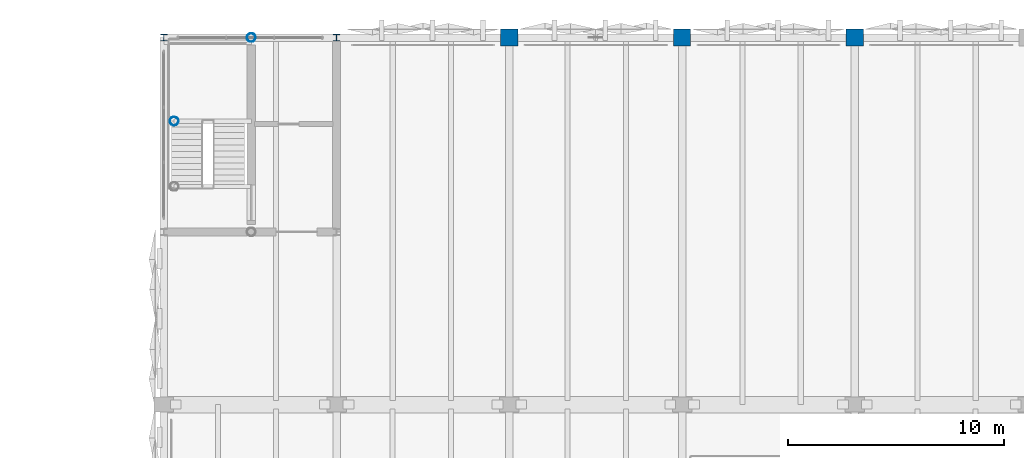
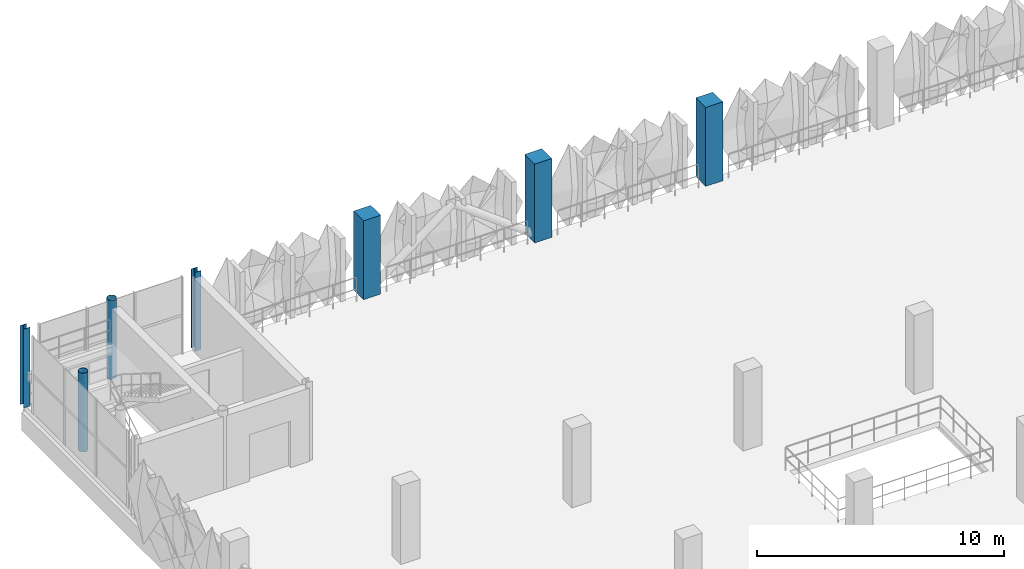
# One storey, part 17 of 123: 7 columns.
"""IFC4 building model written with IfcOpenShell, lengths in metres."""

import ifcopenshell
import ifcopenshell.guid

model = None  # the IFC model being written
_history = None  # IfcOwnerHistory: only IFC2X3 demands one
_inside = {}  # id of a spatial element -> (the spatial element, [elements in it])
_under = {}  # id of a project, library or spatial element -> (it, [spatial elements below it])
_declared = {}  # id of a project -> (the project, [libraries it declares])
_typed = {}  # id of a type object -> (the type object, [elements of that type])
_made_of = {}  # id of a material, layer set ... -> (it, [elements and type objects made of it])


def new_model(schema):
    """Start an empty IFC model of exactly this schema.

    Asked for "IFC4X3", IfcOpenShell would pick the latest addendum, in which some entities
    have other attributes; the version numbers below select the first issue.
    IFC2X3 requires an IfcOwnerHistory on every rooted entity: one is made here for all.
    """
    global model, _history
    if schema == "IFC4X3":
        model = ifcopenshell.file(schema_version=(4, 3, 0, 0))
    else:
        model = ifcopenshell.file(schema=schema)
    _inside.clear()
    _under.clear()
    _declared.clear()
    _typed.clear()
    _made_of.clear()
    _history = None
    if model.schema == "IFC2X3":
        org = make("IfcOrganization", Name="unknown")
        user = make(
            "IfcPersonAndOrganization",
            ThePerson=make("IfcPerson", FamilyName="unknown"),
            TheOrganization=org,
        )
        app = make(
            "IfcApplication",
            ApplicationDeveloper=org,
            Version="unknown",
            ApplicationFullName="unknown",
            ApplicationIdentifier="unknown",
        )
        _history = make(
            "IfcOwnerHistory",
            OwningUser=user,
            OwningApplication=app,
            ChangeAction="ADDED",
            CreationDate=0,
        )
    return model


def make(cls, **values):
    """One entity of the class cls with the attributes given. An attribute that is None is left unset."""
    return model.create_entity(
        cls, **{name: value for name, value in values.items() if value is not None}
    )


def rooted(cls, **values):
    """An entity with a GlobalId (a new one), such as an element, a storey or a relation."""
    return make(cls, GlobalId=ifcopenshell.guid.new(), OwnerHistory=_history, **values)


def si_unit(unit_type, name, prefix=None):
    """IfcSIUnit, for example si_unit("LENGTHUNIT", "METRE", prefix="MILLI")."""
    return make("IfcSIUnit", UnitType=unit_type, Prefix=prefix, Name=name)


def derived_unit(unit_type, elements):
    """IfcDerivedUnit: a product of units, each with its exponent."""
    return make(
        "IfcDerivedUnit",
        Elements=[
            make("IfcDerivedUnitElement", Unit=unit, Exponent=power)
            for unit, power in elements
        ],
        UnitType=unit_type,
    )


def assignment(units):
    """IfcUnitAssignment: the units of a project."""
    return None if units is None else make("IfcUnitAssignment", Units=units)


def point(xyz):
    """IfcCartesianPoint."""
    return None if xyz is None else make("IfcCartesianPoint", Coordinates=xyz)


def direction(xyz):
    """IfcDirection."""
    return None if xyz is None else make("IfcDirection", DirectionRatios=xyz)


def frame(location, z_axis=None, x_axis=None):
    """IfcAxis2Placement3D, a coordinate frame: its origin and axes. An axis left out is left unset."""
    return make(
        "IfcAxis2Placement3D",
        Location=point(location),
        Axis=direction(z_axis),
        RefDirection=direction(x_axis),
    )


def frame_2d(location, x_axis=None):
    """IfcAxis2Placement2D, a coordinate frame in the plane: its origin and x axis."""
    return make(
        "IfcAxis2Placement2D", Location=point(location), RefDirection=direction(x_axis)
    )


def origin():
    """The frame at (0, 0, 0) with its axes left unset."""
    return frame((0.0, 0.0, 0.0))


def origin_2d():
    """The frame at (0, 0) in the plane with its x axis left unset."""
    return frame_2d((0.0, 0.0))


def place(relative_to, where):
    """IfcLocalPlacement: puts the frame where relative to a parent placement (None: the world)."""
    return make(
        "IfcLocalPlacement", PlacementRelTo=relative_to, RelativePlacement=where
    )


def context(
    kind, dimensions, precision=None, world=None, true_north=None, identifier=None
):
    """IfcGeometricRepresentationContext, for example the 3D "Model" context."""
    return make(
        "IfcGeometricRepresentationContext",
        ContextIdentifier=identifier,
        ContextType=kind,
        CoordinateSpaceDimension=dimensions,
        Precision=precision,
        WorldCoordinateSystem=world,
        TrueNorth=true_north,
    )


def subcontext(parent, identifier, kind, view, scale=None):
    """IfcGeometricRepresentationSubContext, for example "Body" below "Model"."""
    return make(
        "IfcGeometricRepresentationSubContext",
        ContextIdentifier=identifier,
        ContextType=kind,
        ParentContext=parent,
        TargetScale=scale,
        TargetView=view,
    )


def project(units=None, contexts=None):
    """IfcProject with its units and contexts."""
    return rooted(
        "IfcProject",
        Name="project",
        RepresentationContexts=contexts,
        UnitsInContext=assignment(units),
    )


def spatial(cls, under=None, at=None, **own):
    """A site, building, storey or space (cls), placed at a placement, below another one or the project."""
    s = rooted(cls, ObjectPlacement=at, **own)
    if under is not None:
        _under.setdefault(under.id(), (under, []))[1].append(s)
    return s


def profile(cls, at=None, kind="AREA", **sizes):
    """A parametric profile (cls). Its sizes go by their IFC names, for example OverallWidth=200.0."""
    return make(cls, ProfileType=kind, Position=at, **sizes)


def rectangle(**sizes):
    """IfcRectangleProfileDef."""
    return profile("IfcRectangleProfileDef", **sizes)


def hollow_circle(**sizes):
    """IfcCircleHollowProfileDef."""
    return profile("IfcCircleHollowProfileDef", **sizes)


def i_section(**sizes):
    """IfcIShapeProfileDef."""
    return profile("IfcIShapeProfileDef", **sizes)


def extrude(swept, where, along, depth):
    """IfcExtrudedAreaSolid: the profile swept, set in the frame where, extruded along a direction by depth."""
    return make(
        "IfcExtrudedAreaSolid",
        SweptArea=swept,
        Position=where,
        ExtrudedDirection=direction(along),
        Depth=depth,
    )


def shape(context_of_items, identifier, shape_type, items):
    """IfcShapeRepresentation: the items that make up one representation, for example the "Body"."""
    return make(
        "IfcShapeRepresentation",
        ContextOfItems=context_of_items,
        RepresentationIdentifier=identifier,
        RepresentationType=shape_type,
        Items=items,
    )


def material(Name=None, Category=None):
    """IfcMaterial."""
    return make("IfcMaterial", Name=Name, Category=Category)


def material_profile(
    of_material, cross_section, Name=None, Category=None, Priority=None
):
    """IfcMaterialProfile: a cross section and its material."""
    return make(
        "IfcMaterialProfile",
        Name=Name,
        Material=of_material,
        Profile=cross_section,
        Priority=Priority,
        Category=Category,
    )


def profile_set(profiles, Name=None, composite=None):
    """IfcMaterialProfileSet."""
    return make(
        "IfcMaterialProfileSet",
        Name=Name,
        MaterialProfiles=profiles,
        CompositeProfile=composite,
    )


def made_of(thing, what):
    """Note that an element or type object is made of a material, layer set ...; save() writes the relation."""
    if what is not None:
        _made_of.setdefault(what.id(), (what, []))[1].append(thing)
    return thing


def type_object(cls, material=None, **own):
    """A type object (cls), such as IfcWallType, which elements share."""
    return made_of(rooted(cls, **own), material)


def element(
    cls,
    number,
    at=None,
    inside=None,
    cuts=None,
    type_object=None,
    material=None,
    context=None,
    identifier="Body",
    shape_type=None,
    held_by="IfcProductDefinitionShape",
    body=None,
    shapes=None,
    **own,
):
    """One element of the class cls, such as IfcWall. Its Tag is "e" and its number.

    at: its placement. inside: the storey or other place that contains it. cuts: it is an
    opening in that element (IfcRelVoidsElement). A single representation is given by context,
    identifier, shape_type and body (its items); several are given by shapes. held_by: the class
    of the entity that holds the representations. save() writes the other relations.
    """
    e = rooted(cls, Tag="e%d" % number, ObjectPlacement=at, **own)
    if body is not None:
        shapes = [shape(context, identifier, shape_type, body)]
    if shapes is not None:
        e.Representation = make(held_by, Representations=shapes)
    if inside is not None:
        _inside.setdefault(inside.id(), (inside, []))[1].append(e)
    if cuts is not None:
        rooted(
            "IfcRelVoidsElement", RelatingBuildingElement=cuts, RelatedOpeningElement=e
        )
    if type_object is not None:
        _typed.setdefault(type_object.id(), (type_object, []))[1].append(e)
    return made_of(e, material)


def aggregate(whole, parts):
    """IfcRelAggregates: a whole, such as a stair, and the parts it consists of."""
    return rooted("IfcRelAggregates", RelatingObject=whole, RelatedObjects=parts)


def save(model, path):
    """Write the relations noted so far, then the file.

    IfcRelAggregates (storeys below a building ...), IfcRelContainedInSpatialStructure (elements
    in a storey), IfcRelDefinesByType, IfcRelAssociatesMaterial and IfcRelDeclares: one each for
    every whole, place, type object, material and project.
    """
    for whole, parts in _under.values():
        aggregate(whole, parts)
    for where, things in _inside.values():
        rooted(
            "IfcRelContainedInSpatialStructure",
            RelatedElements=things,
            RelatingStructure=where,
        )
    for kind, things in _typed.values():
        rooted("IfcRelDefinesByType", RelatedObjects=things, RelatingType=kind)
    for what, things in _made_of.values():
        rooted("IfcRelAssociatesMaterial", RelatedObjects=things, RelatingMaterial=what)
    for by, libraries in _declared.values():
        rooted("IfcRelDeclares", RelatingContext=by, RelatedDefinitions=libraries)
    model.write(path)


model = new_model("IFC4")

# Units and contexts
model_context = context("Model", 3, precision=1e-05, world=origin(), true_north=direction((0.0, 1.0)))
body_context = subcontext(model_context, "Body", "Model", "MODEL_VIEW")
ifc_project = project(units=[si_unit("LENGTHUNIT", "METRE"), si_unit("AREAUNIT", "SQUARE_METRE"), si_unit("VOLUMEUNIT", "CUBIC_METRE"), si_unit("PLANEANGLEUNIT", "RADIAN"), si_unit("MASSUNIT", "GRAM", prefix="KILO"), si_unit("THERMODYNAMICTEMPERATUREUNIT", "KELVIN"), derived_unit("THERMALTRANSMITTANCEUNIT", [(si_unit("POWERUNIT", "WATT"), 1), (si_unit("AREAUNIT", "SQUARE_METRE"), -1), (si_unit("THERMODYNAMICTEMPERATUREUNIT", "KELVIN"), -1)])], contexts=[model_context])

# Site, building, storey
site_placement = place(None, origin())
site = spatial("IfcSite", under=ifc_project, at=site_placement, CompositionType="ELEMENT")
building_placement = place(site_placement, origin())
building = spatial("IfcBuilding", under=site, at=building_placement, Name="Haiyu Intermodal Mobility Hub", CompositionType="ELEMENT")
storey_placement = place(building_placement, frame((0.0, 0.0, 5.60009765625)))
storey = spatial("IfcBuildingStorey", under=building, at=storey_placement, Name="L01", CompositionType="ELEMENT", Elevation=5.60009765625)

# Columns
ifc_material_1 = material(Name="Precast concrete C40", Category="concrete")
ifc_material_profile_1 = material_profile(ifc_material_1, rectangle(XDim=0.800048828125, YDim=0.800048828125, at=origin_2d()), Name="RC800x800")
ifc_profile_set_1 = profile_set([ifc_material_profile_1], Name="Precast concrete C40")
column_type_1 = type_object("IfcColumnType", Name="COL-CC02-EXT", PredefinedType="COLUMN", material=ifc_profile_set_1)
for number, where, z_axis, x_axis, name in (
    (1, (38.0, 148.0, 0.0), (0.0, 0.0, 1.0), (1.0, 0.0, 0.0), "Column V4-4S L01"),
    (2, (46.0, 148.0, 0.0), (0.0, 0.0, 1.0), (1.0, 0.0, 0.0), "Column V4-5S L01"),
    (3, (54.0, 148.0, 0.0), (0.0, 0.0, 1.0), (1.0, 0.0, 0.0), "Column V4-6S L01"),
):
    element("IfcColumn", number, at=place(storey_placement, frame(where, z_axis=z_axis, x_axis=x_axis)), inside=storey, type_object=column_type_1, Name=name, PredefinedType="COLUMN", context=body_context, shape_type="SweptSolid", body=[
        extrude(rectangle(XDim=0.800048828125, YDim=0.800048828125, at=origin_2d()), origin(), (0.0, 0.0, 1.0), 3.89990234375),
    ])
ifc_material_2 = material(Name="Steel Q355C", Category="steel")
ifc_material_profile_2 = material_profile(ifc_material_2, hollow_circle(Radius=0.202880859375, WallThickness=0.013916015625, at=origin_2d()), Name="CHS406x14")
ifc_profile_set_2 = profile_set([ifc_material_profile_2], Name="Steel Q355C")
column_type_2 = type_object("IfcColumnType", Name="COL-SC03", PredefinedType="COLUMN", material=ifc_profile_set_2)
column_1_placement = place(storey_placement, frame((22.47998046875, 144.1298828125, 0.0), z_axis=(0.0, 0.0, 1.0), x_axis=(1.0, 0.0, 0.0)))
element("IfcColumn", 4, at=column_1_placement, inside=storey, type_object=column_type_2, Name="Column C3-WLP L01", PredefinedType="COLUMN", context=body_context, shape_type="SweptSolid", body=[
    extrude(hollow_circle(Radius=0.202880859375, WallThickness=0.013916015625, at=origin_2d()), origin(), (0.0, 0.0, 1.0), 3.89990234375),
])
ifc_material_profile_3 = material_profile(ifc_material_2, hollow_circle(Radius=0.202880859375, WallThickness=0.013916015625, at=origin_2d()), Name="CHS406x14")
ifc_profile_set_3 = profile_set([ifc_material_profile_3], Name="Steel Q355C")
column_type_3 = type_object("IfcColumnType", Name="COL-SC03-EXT", PredefinedType="COLUMN", material=ifc_profile_set_3)
column_2_placement = place(storey_placement, frame((26.050048828125, 148.0, 0.0), z_axis=(0.0, 0.0, 1.0), x_axis=(1.0, 0.0, 0.0)))
element("IfcColumn", 5, at=column_2_placement, inside=storey, type_object=column_type_3, Name="Column C3-MN L01", PredefinedType="COLUMN", context=body_context, shape_type="SweptSolid", body=[
    extrude(hollow_circle(Radius=0.202880859375, WallThickness=0.013916015625, at=origin_2d()), origin(), (0.0, 0.0, 1.0), 3.89990234375),
])
ifc_material_profile_4 = material_profile(ifc_material_2, i_section(OverallWidth=0.300048828125, OverallDepth=0.300048828125, WebThickness=0.010009765625, FlangeThickness=0.014892578125, FilletRadius=0.01806640625, at=origin_2d()), Name="HW300x300x10x15")
ifc_profile_set_4 = profile_set([ifc_material_profile_4], Name="Steel Q355C")
column_type_4 = type_object("IfcColumnType", Name="COL-SC07-EXT", PredefinedType="COLUMN", material=ifc_profile_set_4)
for number, where, z_axis, x_axis, name in (
    (6, (22.0, 148.0, 0.0), (0.0, 0.0, 1.0), (1.0, 0.0, 0.0), "Column C3-NW L01"),
    (7, (30.0, 148.0, 0.0), (0.0, 0.0, 1.0), (1.0, 0.0, 0.0), "Column C3-NE L01"),
):
    element("IfcColumn", number, at=place(storey_placement, frame(where, z_axis=z_axis, x_axis=x_axis)), inside=storey, type_object=column_type_4, Name=name, PredefinedType="COLUMN", context=body_context, shape_type="SweptSolid", body=[
        extrude(i_section(OverallWidth=0.300048828125, OverallDepth=0.300048828125, WebThickness=0.010009765625, FlangeThickness=0.014892578125, FilletRadius=0.01806640625, at=origin_2d()), origin(), (0.0, 0.0, 1.0), 3.89990234375),
    ])

save(model, "model.ifc")
